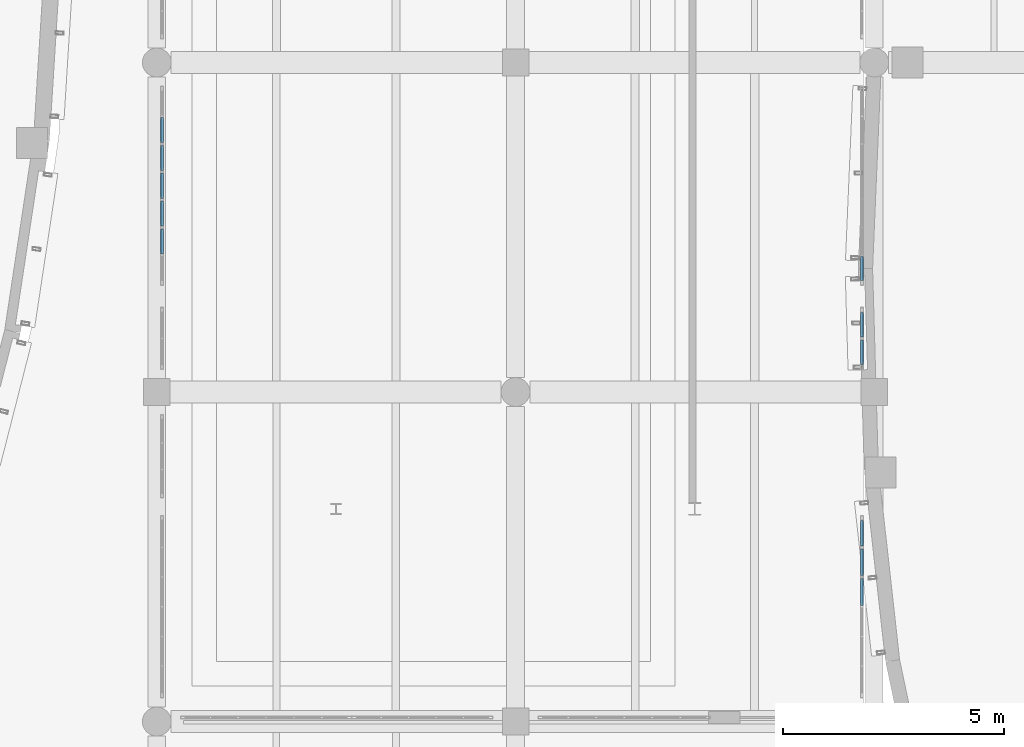
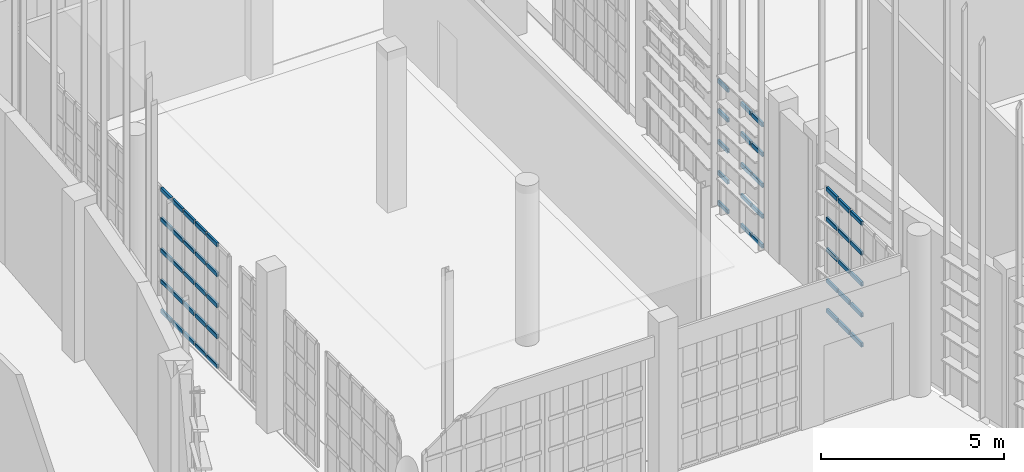
# One storey, part 307 of 372: 55 members, 4 elements without a shape of their own.
"""IFC4 building model written with IfcOpenShell, lengths in metres."""

from ifc_helpers import new_model, si_unit, direction, frame, origin, origin_2d, place, context, subcontext, project, spatial, hollow_rectangle, extrude, material, material_profile, profile_set, type_object, element, aggregate, save


model = new_model("IFC4")

# Units and contexts
model_context = context("Model", 3, precision=1e-05, world=origin(), true_north=direction((0.0, 1.0)))
body_context = subcontext(model_context, "Body", "Model", "MODEL_VIEW")
ifc_project = project(units=[si_unit("LENGTHUNIT", "METRE"), si_unit("AREAUNIT", "SQUARE_METRE"), si_unit("VOLUMEUNIT", "CUBIC_METRE"), si_unit("PLANEANGLEUNIT", "RADIAN"), si_unit("MASSUNIT", "GRAM", prefix="KILO")], contexts=[model_context])

# Site, building, storey
site_placement = place(None, origin())
site = spatial("IfcSite", under=ifc_project, at=site_placement, CompositionType="ELEMENT")
building_placement = place(site_placement, origin())
building = spatial("IfcBuilding", under=site, at=building_placement, Name="Kaelora Sail Theatre", CompositionType="ELEMENT")
storey_placement = place(building_placement, origin())
storey = spatial("IfcBuildingStorey", under=building, at=storey_placement, Name="L00", CompositionType="ELEMENT", Elevation=0.0)

# Curtain wall, members
ifc_material_1 = material(Name="Anodised aluminium and solar-control low-E IGU", Category="aluminium")
curtain_wall_type = type_object("IfcCurtainWallType", Name="ARC-CW-CW-FOY2", PredefinedType="NOTDEFINED", material=ifc_material_1)
curtain_wall_1_placement = place(storey_placement, origin())
curtain_wall_1 = element("IfcCurtainWall", 1, at=curtain_wall_1_placement, inside=storey, type_object=curtain_wall_type, Name="East Interstitial Foyer East Glazed Return L00-01", PredefinedType="NOTDEFINED")
ifc_material_2 = material(Name="Anodised aluminium 6063-T6", Category="aluminium")
ifc_material_profile = material_profile(ifc_material_2, hollow_rectangle(XDim=0.070068359375, YDim=0.139892578125, WallThickness=0.00390625, InnerFilletRadius=0.00390625, OuterFilletRadius=0.008056640625, at=origin_2d()), Name="ALU-TRAN 70x140x4")
ifc_profile_set = profile_set([ifc_material_profile], Name="Anodised aluminium 6063-T6")
member_type = type_object("IfcMemberType", Name="ARC-MEM-TR-140", PredefinedType="USERDEFINED", material=ifc_profile_set)
member_1_placement = place(storey_placement, frame((122.719970703125, 41.322509765625, 0.034912109375), z_axis=(0.0, 1.0, 0.0), x_axis=(-1.0, 0.0, 0.0)))
member_1 = element("IfcMember", 2, at=member_1_placement, type_object=member_type, Name="CW-FOY2 transom 4.1", ObjectType="TRANSOM", PredefinedType="USERDEFINED", context=body_context, shape_type="SweptSolid", body=[
    extrude(hollow_rectangle(XDim=0.070068359375, YDim=0.139892578125, WallThickness=0.00390625, InnerFilletRadius=0.00390625, OuterFilletRadius=0.008056640625, at=origin_2d()), origin(), (0.0, 0.0, 1.0), 0.609130859375),
])
member_2_placement = place(storey_placement, frame((122.719970703125, 41.322509765625, 1.0341796875), z_axis=(0.0, 1.0, 0.0), x_axis=(-1.0, 0.0, 0.0)))
member_2 = element("IfcMember", 3, at=member_2_placement, type_object=member_type, Name="CW-FOY2 transom 4.2", ObjectType="TRANSOM", PredefinedType="USERDEFINED", context=body_context, shape_type="SweptSolid", body=[
    extrude(hollow_rectangle(XDim=0.070068359375, YDim=0.139892578125, WallThickness=0.00390625, InnerFilletRadius=0.00390625, OuterFilletRadius=0.008056640625, at=origin_2d()), origin(), (0.0, 0.0, 1.0), 0.609130859375),
])
member_3_placement = place(storey_placement, frame((122.719970703125, 41.322509765625, 2.068603515625), z_axis=(0.0, 1.0, 0.0), x_axis=(-1.0, 0.0, 0.0)))
member_3 = element("IfcMember", 4, at=member_3_placement, type_object=member_type, Name="CW-FOY2 transom 4.3", ObjectType="TRANSOM", PredefinedType="USERDEFINED", context=body_context, shape_type="SweptSolid", body=[
    extrude(hollow_rectangle(XDim=0.070068359375, YDim=0.139892578125, WallThickness=0.00390625, InnerFilletRadius=0.00390625, OuterFilletRadius=0.008056640625, at=origin_2d()), origin(), (0.0, 0.0, 1.0), 0.609130859375),
])
member_4_placement = place(storey_placement, frame((122.719970703125, 41.322509765625, 3.102783203125), z_axis=(0.0, 1.0, 0.0), x_axis=(-1.0, 0.0, 0.0)))
member_4 = element("IfcMember", 5, at=member_4_placement, type_object=member_type, Name="CW-FOY2 transom 4.4", ObjectType="TRANSOM", PredefinedType="USERDEFINED", context=body_context, shape_type="SweptSolid", body=[
    extrude(hollow_rectangle(XDim=0.070068359375, YDim=0.139892578125, WallThickness=0.00390625, InnerFilletRadius=0.00390625, OuterFilletRadius=0.008056640625, at=origin_2d()), origin(), (0.0, 0.0, 1.0), 0.609130859375),
])
member_5_placement = place(storey_placement, frame((122.719970703125, 41.322509765625, 4.10205078125), z_axis=(0.0, 1.0, 0.0), x_axis=(-1.0, 0.0, 0.0)))
member_5 = element("IfcMember", 6, at=member_5_placement, type_object=member_type, Name="CW-FOY2 transom 4.5", ObjectType="TRANSOM", PredefinedType="USERDEFINED", context=body_context, shape_type="SweptSolid", body=[
    extrude(hollow_rectangle(XDim=0.070068359375, YDim=0.139892578125, WallThickness=0.00390625, InnerFilletRadius=0.00390625, OuterFilletRadius=0.008056640625, at=origin_2d()), origin(), (0.0, 0.0, 1.0), 0.609130859375),
])
member_6_placement = place(storey_placement, frame((122.719970703125, 41.99169921875, 0.034912109375), z_axis=(0.0, 1.0, 0.0), x_axis=(-1.0, 0.0, 0.0)))
member_6 = element("IfcMember", 7, at=member_6_placement, type_object=member_type, Name="CW-FOY2 transom 5.1", ObjectType="TRANSOM", PredefinedType="USERDEFINED", context=body_context, shape_type="SweptSolid", body=[
    extrude(hollow_rectangle(XDim=0.070068359375, YDim=0.139892578125, WallThickness=0.00390625, InnerFilletRadius=0.00390625, OuterFilletRadius=0.008056640625, at=origin_2d()), origin(), (0.0, 0.0, 1.0), 0.609130859375),
])
member_7_placement = place(storey_placement, frame((122.719970703125, 41.99169921875, 1.0341796875), z_axis=(0.0, 1.0, 0.0), x_axis=(-1.0, 0.0, 0.0)))
member_7 = element("IfcMember", 8, at=member_7_placement, type_object=member_type, Name="CW-FOY2 transom 5.2", ObjectType="TRANSOM", PredefinedType="USERDEFINED", context=body_context, shape_type="SweptSolid", body=[
    extrude(hollow_rectangle(XDim=0.070068359375, YDim=0.139892578125, WallThickness=0.00390625, InnerFilletRadius=0.00390625, OuterFilletRadius=0.008056640625, at=origin_2d()), origin(), (0.0, 0.0, 1.0), 0.609130859375),
])
member_8_placement = place(storey_placement, frame((122.719970703125, 41.99169921875, 2.068603515625), z_axis=(0.0, 1.0, 0.0), x_axis=(-1.0, 0.0, 0.0)))
member_8 = element("IfcMember", 9, at=member_8_placement, type_object=member_type, Name="CW-FOY2 transom 5.3", ObjectType="TRANSOM", PredefinedType="USERDEFINED", context=body_context, shape_type="SweptSolid", body=[
    extrude(hollow_rectangle(XDim=0.070068359375, YDim=0.139892578125, WallThickness=0.00390625, InnerFilletRadius=0.00390625, OuterFilletRadius=0.008056640625, at=origin_2d()), origin(), (0.0, 0.0, 1.0), 0.609130859375),
])
member_9_placement = place(storey_placement, frame((122.719970703125, 41.99169921875, 3.102783203125), z_axis=(0.0, 1.0, 0.0), x_axis=(-1.0, 0.0, 0.0)))
member_9 = element("IfcMember", 10, at=member_9_placement, type_object=member_type, Name="CW-FOY2 transom 5.4", ObjectType="TRANSOM", PredefinedType="USERDEFINED", context=body_context, shape_type="SweptSolid", body=[
    extrude(hollow_rectangle(XDim=0.070068359375, YDim=0.139892578125, WallThickness=0.00390625, InnerFilletRadius=0.00390625, OuterFilletRadius=0.008056640625, at=origin_2d()), origin(), (0.0, 0.0, 1.0), 0.609130859375),
])
member_10_placement = place(storey_placement, frame((122.719970703125, 41.99169921875, 4.10205078125), z_axis=(0.0, 1.0, 0.0), x_axis=(-1.0, 0.0, 0.0)))
member_10 = element("IfcMember", 11, at=member_10_placement, type_object=member_type, Name="CW-FOY2 transom 5.5", ObjectType="TRANSOM", PredefinedType="USERDEFINED", context=body_context, shape_type="SweptSolid", body=[
    extrude(hollow_rectangle(XDim=0.070068359375, YDim=0.139892578125, WallThickness=0.00390625, InnerFilletRadius=0.00390625, OuterFilletRadius=0.008056640625, at=origin_2d()), origin(), (0.0, 0.0, 1.0), 0.609130859375),
])
member_11_placement = place(storey_placement, frame((122.719970703125, 42.660888671875, 0.034912109375), z_axis=(0.0, 1.0, 0.0), x_axis=(-1.0, 0.0, 0.0)))
member_11 = element("IfcMember", 12, at=member_11_placement, type_object=member_type, Name="CW-FOY2 transom 6.1", ObjectType="TRANSOM", PredefinedType="USERDEFINED", context=body_context, shape_type="SweptSolid", body=[
    extrude(hollow_rectangle(XDim=0.070068359375, YDim=0.139892578125, WallThickness=0.00390625, InnerFilletRadius=0.00390625, OuterFilletRadius=0.008056640625, at=origin_2d()), origin(), (0.0, 0.0, 1.0), 0.5791015625),
])
member_12_placement = place(storey_placement, frame((122.719970703125, 42.660888671875, 1.0341796875), z_axis=(0.0, 1.0, 0.0), x_axis=(-1.0, 0.0, 0.0)))
member_12 = element("IfcMember", 13, at=member_12_placement, type_object=member_type, Name="CW-FOY2 transom 6.2", ObjectType="TRANSOM", PredefinedType="USERDEFINED", context=body_context, shape_type="SweptSolid", body=[
    extrude(hollow_rectangle(XDim=0.070068359375, YDim=0.139892578125, WallThickness=0.00390625, InnerFilletRadius=0.00390625, OuterFilletRadius=0.008056640625, at=origin_2d()), origin(), (0.0, 0.0, 1.0), 0.5791015625),
])
member_13_placement = place(storey_placement, frame((122.719970703125, 42.660888671875, 2.068603515625), z_axis=(0.0, 1.0, 0.0), x_axis=(-1.0, 0.0, 0.0)))
member_13 = element("IfcMember", 14, at=member_13_placement, type_object=member_type, Name="CW-FOY2 transom 6.3", ObjectType="TRANSOM", PredefinedType="USERDEFINED", context=body_context, shape_type="SweptSolid", body=[
    extrude(hollow_rectangle(XDim=0.070068359375, YDim=0.139892578125, WallThickness=0.00390625, InnerFilletRadius=0.00390625, OuterFilletRadius=0.008056640625, at=origin_2d()), origin(), (0.0, 0.0, 1.0), 0.5791015625),
])
member_14_placement = place(storey_placement, frame((122.719970703125, 42.660888671875, 3.102783203125), z_axis=(0.0, 1.0, 0.0), x_axis=(-1.0, 0.0, 0.0)))
member_14 = element("IfcMember", 15, at=member_14_placement, type_object=member_type, Name="CW-FOY2 transom 6.4", ObjectType="TRANSOM", PredefinedType="USERDEFINED", context=body_context, shape_type="SweptSolid", body=[
    extrude(hollow_rectangle(XDim=0.070068359375, YDim=0.139892578125, WallThickness=0.00390625, InnerFilletRadius=0.00390625, OuterFilletRadius=0.008056640625, at=origin_2d()), origin(), (0.0, 0.0, 1.0), 0.5791015625),
])
member_15_placement = place(storey_placement, frame((122.719970703125, 42.660888671875, 4.10205078125), z_axis=(0.0, 1.0, 0.0), x_axis=(-1.0, 0.0, 0.0)))
member_15 = element("IfcMember", 16, at=member_15_placement, type_object=member_type, Name="CW-FOY2 transom 6.5", ObjectType="TRANSOM", PredefinedType="USERDEFINED", context=body_context, shape_type="SweptSolid", body=[
    extrude(hollow_rectangle(XDim=0.070068359375, YDim=0.139892578125, WallThickness=0.00390625, InnerFilletRadius=0.00390625, OuterFilletRadius=0.008056640625, at=origin_2d()), origin(), (0.0, 0.0, 1.0), 0.5791015625),
])
aggregate(curtain_wall_1, [member_1, member_2, member_3, member_4, member_5, member_6, member_7, member_8, member_9, member_10, member_11, member_12, member_13, member_14, member_15])

curtain_wall_2_placement = place(storey_placement, origin())
curtain_wall_2 = element("IfcCurtainWall", 17, at=curtain_wall_2_placement, inside=storey, type_object=curtain_wall_type, Name="East Interstitial Foyer East Glazed Return L00-02", PredefinedType="NOTDEFINED")
member_16_placement = place(storey_placement, frame((122.719970703125, 46.760009765625, 0.034912109375), z_axis=(0.0, 1.0, 0.0), x_axis=(-1.0, 0.0, 0.0)))
member_16 = element("IfcMember", 18, at=member_16_placement, type_object=member_type, Name="CW-FOY2 transom 1.1", ObjectType="TRANSOM", PredefinedType="USERDEFINED", context=body_context, shape_type="SweptSolid", body=[
    extrude(hollow_rectangle(XDim=0.070068359375, YDim=0.139892578125, WallThickness=0.00390625, InnerFilletRadius=0.00390625, OuterFilletRadius=0.008056640625, at=origin_2d()), origin(), (0.0, 0.0, 1.0), 0.56005859375),
])
member_17_placement = place(storey_placement, frame((122.719970703125, 46.760009765625, 1.0341796875), z_axis=(0.0, 1.0, 0.0), x_axis=(-1.0, 0.0, 0.0)))
member_17 = element("IfcMember", 19, at=member_17_placement, type_object=member_type, Name="CW-FOY2 transom 1.2", ObjectType="TRANSOM", PredefinedType="USERDEFINED", context=body_context, shape_type="SweptSolid", body=[
    extrude(hollow_rectangle(XDim=0.070068359375, YDim=0.139892578125, WallThickness=0.00390625, InnerFilletRadius=0.00390625, OuterFilletRadius=0.008056640625, at=origin_2d()), origin(), (0.0, 0.0, 1.0), 0.56005859375),
])
member_18_placement = place(storey_placement, frame((122.719970703125, 46.760009765625, 2.068603515625), z_axis=(0.0, 1.0, 0.0), x_axis=(-1.0, 0.0, 0.0)))
member_18 = element("IfcMember", 20, at=member_18_placement, type_object=member_type, Name="CW-FOY2 transom 1.3", ObjectType="TRANSOM", PredefinedType="USERDEFINED", context=body_context, shape_type="SweptSolid", body=[
    extrude(hollow_rectangle(XDim=0.070068359375, YDim=0.139892578125, WallThickness=0.00390625, InnerFilletRadius=0.00390625, OuterFilletRadius=0.008056640625, at=origin_2d()), origin(), (0.0, 0.0, 1.0), 0.56005859375),
])
member_19_placement = place(storey_placement, frame((122.719970703125, 46.760009765625, 3.102783203125), z_axis=(0.0, 1.0, 0.0), x_axis=(-1.0, 0.0, 0.0)))
member_19 = element("IfcMember", 21, at=member_19_placement, type_object=member_type, Name="CW-FOY2 transom 1.4", ObjectType="TRANSOM", PredefinedType="USERDEFINED", context=body_context, shape_type="SweptSolid", body=[
    extrude(hollow_rectangle(XDim=0.070068359375, YDim=0.139892578125, WallThickness=0.00390625, InnerFilletRadius=0.00390625, OuterFilletRadius=0.008056640625, at=origin_2d()), origin(), (0.0, 0.0, 1.0), 0.56005859375),
])
member_20_placement = place(storey_placement, frame((122.719970703125, 46.760009765625, 4.10205078125), z_axis=(0.0, 1.0, 0.0), x_axis=(-1.0, 0.0, 0.0)))
member_20 = element("IfcMember", 22, at=member_20_placement, type_object=member_type, Name="CW-FOY2 transom 1.5", ObjectType="TRANSOM", PredefinedType="USERDEFINED", context=body_context, shape_type="SweptSolid", body=[
    extrude(hollow_rectangle(XDim=0.070068359375, YDim=0.139892578125, WallThickness=0.00390625, InnerFilletRadius=0.00390625, OuterFilletRadius=0.008056640625, at=origin_2d()), origin(), (0.0, 0.0, 1.0), 0.56005859375),
])
member_21_placement = place(storey_placement, frame((122.719970703125, 47.3798828125, 0.034912109375), z_axis=(0.0, 1.0, 0.0), x_axis=(-1.0, 0.0, 0.0)))
member_21 = element("IfcMember", 23, at=member_21_placement, type_object=member_type, Name="CW-FOY2 transom 2.1", ObjectType="TRANSOM", PredefinedType="USERDEFINED", context=body_context, shape_type="SweptSolid", body=[
    extrude(hollow_rectangle(XDim=0.070068359375, YDim=0.139892578125, WallThickness=0.00390625, InnerFilletRadius=0.00390625, OuterFilletRadius=0.008056640625, at=origin_2d()), origin(), (0.0, 0.0, 1.0), 0.56005859375),
])
member_22_placement = place(storey_placement, frame((122.719970703125, 47.3798828125, 1.0341796875), z_axis=(0.0, 1.0, 0.0), x_axis=(-1.0, 0.0, 0.0)))
member_22 = element("IfcMember", 24, at=member_22_placement, type_object=member_type, Name="CW-FOY2 transom 2.2", ObjectType="TRANSOM", PredefinedType="USERDEFINED", context=body_context, shape_type="SweptSolid", body=[
    extrude(hollow_rectangle(XDim=0.070068359375, YDim=0.139892578125, WallThickness=0.00390625, InnerFilletRadius=0.00390625, OuterFilletRadius=0.008056640625, at=origin_2d()), origin(), (0.0, 0.0, 1.0), 0.56005859375),
])
member_23_placement = place(storey_placement, frame((122.719970703125, 47.3798828125, 2.068603515625), z_axis=(0.0, 1.0, 0.0), x_axis=(-1.0, 0.0, 0.0)))
member_23 = element("IfcMember", 25, at=member_23_placement, type_object=member_type, Name="CW-FOY2 transom 2.3", ObjectType="TRANSOM", PredefinedType="USERDEFINED", context=body_context, shape_type="SweptSolid", body=[
    extrude(hollow_rectangle(XDim=0.070068359375, YDim=0.139892578125, WallThickness=0.00390625, InnerFilletRadius=0.00390625, OuterFilletRadius=0.008056640625, at=origin_2d()), origin(), (0.0, 0.0, 1.0), 0.56005859375),
])
member_24_placement = place(storey_placement, frame((122.719970703125, 47.3798828125, 3.102783203125), z_axis=(0.0, 1.0, 0.0), x_axis=(-1.0, 0.0, 0.0)))
member_24 = element("IfcMember", 26, at=member_24_placement, type_object=member_type, Name="CW-FOY2 transom 2.4", ObjectType="TRANSOM", PredefinedType="USERDEFINED", context=body_context, shape_type="SweptSolid", body=[
    extrude(hollow_rectangle(XDim=0.070068359375, YDim=0.139892578125, WallThickness=0.00390625, InnerFilletRadius=0.00390625, OuterFilletRadius=0.008056640625, at=origin_2d()), origin(), (0.0, 0.0, 1.0), 0.56005859375),
])
member_25_placement = place(storey_placement, frame((122.719970703125, 47.3798828125, 4.10205078125), z_axis=(0.0, 1.0, 0.0), x_axis=(-1.0, 0.0, 0.0)))
member_25 = element("IfcMember", 27, at=member_25_placement, type_object=member_type, Name="CW-FOY2 transom 2.5", ObjectType="TRANSOM", PredefinedType="USERDEFINED", context=body_context, shape_type="SweptSolid", body=[
    extrude(hollow_rectangle(XDim=0.070068359375, YDim=0.139892578125, WallThickness=0.00390625, InnerFilletRadius=0.00390625, OuterFilletRadius=0.008056640625, at=origin_2d()), origin(), (0.0, 0.0, 1.0), 0.56005859375),
])
aggregate(curtain_wall_2, [member_16, member_17, member_18, member_19, member_20, member_21, member_22, member_23, member_24, member_25])

curtain_wall_3_placement = place(storey_placement, origin())
curtain_wall_3 = element("IfcCurtainWall", 28, at=curtain_wall_3_placement, inside=storey, type_object=curtain_wall_type, Name="East Interstitial Foyer West Glazed Return L00-03", PredefinedType="NOTDEFINED")
member_26_placement = place(storey_placement, frame((106.919921875, 49.2578125, 0.034912109375), z_axis=(0.0, 1.0, 0.0), x_axis=(-1.0, 0.0, 0.0)))
member_26 = element("IfcMember", 29, at=member_26_placement, type_object=member_type, Name="CW-FOY2 transom 2.1", ObjectType="TRANSOM", PredefinedType="USERDEFINED", context=body_context, shape_type="SweptSolid", body=[
    extrude(hollow_rectangle(XDim=0.070068359375, YDim=0.139892578125, WallThickness=0.00390625, InnerFilletRadius=0.00390625, OuterFilletRadius=0.008056640625, at=origin_2d()), origin(), (0.0, 0.0, 1.0), 0.56787109375),
])
member_27_placement = place(storey_placement, frame((106.919921875, 49.2578125, 1.0341796875), z_axis=(0.0, 1.0, 0.0), x_axis=(-1.0, 0.0, 0.0)))
member_27 = element("IfcMember", 30, at=member_27_placement, type_object=member_type, Name="CW-FOY2 transom 2.2", ObjectType="TRANSOM", PredefinedType="USERDEFINED", context=body_context, shape_type="SweptSolid", body=[
    extrude(hollow_rectangle(XDim=0.070068359375, YDim=0.139892578125, WallThickness=0.00390625, InnerFilletRadius=0.00390625, OuterFilletRadius=0.008056640625, at=origin_2d()), origin(), (0.0, 0.0, 1.0), 0.56787109375),
])
member_28_placement = place(storey_placement, frame((106.919921875, 49.2578125, 2.068603515625), z_axis=(0.0, 1.0, 0.0), x_axis=(-1.0, 0.0, 0.0)))
member_28 = element("IfcMember", 31, at=member_28_placement, type_object=member_type, Name="CW-FOY2 transom 2.3", ObjectType="TRANSOM", PredefinedType="USERDEFINED", context=body_context, shape_type="SweptSolid", body=[
    extrude(hollow_rectangle(XDim=0.070068359375, YDim=0.139892578125, WallThickness=0.00390625, InnerFilletRadius=0.00390625, OuterFilletRadius=0.008056640625, at=origin_2d()), origin(), (0.0, 0.0, 1.0), 0.56787109375),
])
member_29_placement = place(storey_placement, frame((106.919921875, 49.2578125, 3.102783203125), z_axis=(0.0, 1.0, 0.0), x_axis=(-1.0, 0.0, 0.0)))
member_29 = element("IfcMember", 32, at=member_29_placement, type_object=member_type, Name="CW-FOY2 transom 2.4", ObjectType="TRANSOM", PredefinedType="USERDEFINED", context=body_context, shape_type="SweptSolid", body=[
    extrude(hollow_rectangle(XDim=0.070068359375, YDim=0.139892578125, WallThickness=0.00390625, InnerFilletRadius=0.00390625, OuterFilletRadius=0.008056640625, at=origin_2d()), origin(), (0.0, 0.0, 1.0), 0.56787109375),
])
member_30_placement = place(storey_placement, frame((106.919921875, 49.2578125, 4.10205078125), z_axis=(0.0, 1.0, 0.0), x_axis=(-1.0, 0.0, 0.0)))
member_30 = element("IfcMember", 33, at=member_30_placement, type_object=member_type, Name="CW-FOY2 transom 2.5", ObjectType="TRANSOM", PredefinedType="USERDEFINED", context=body_context, shape_type="SweptSolid", body=[
    extrude(hollow_rectangle(XDim=0.070068359375, YDim=0.139892578125, WallThickness=0.00390625, InnerFilletRadius=0.00390625, OuterFilletRadius=0.008056640625, at=origin_2d()), origin(), (0.0, 0.0, 1.0), 0.56787109375),
])
member_31_placement = place(storey_placement, frame((106.919921875, 49.8857421875, 0.034912109375), z_axis=(0.0, 1.0, 0.0), x_axis=(-1.0, 0.0, 0.0)))
member_31 = element("IfcMember", 34, at=member_31_placement, type_object=member_type, Name="CW-FOY2 transom 3.1", ObjectType="TRANSOM", PredefinedType="USERDEFINED", context=body_context, shape_type="SweptSolid", body=[
    extrude(hollow_rectangle(XDim=0.070068359375, YDim=0.139892578125, WallThickness=0.00390625, InnerFilletRadius=0.00390625, OuterFilletRadius=0.008056640625, at=origin_2d()), origin(), (0.0, 0.0, 1.0), 0.56787109375),
])
member_32_placement = place(storey_placement, frame((106.919921875, 49.8857421875, 1.0341796875), z_axis=(0.0, 1.0, 0.0), x_axis=(-1.0, 0.0, 0.0)))
member_32 = element("IfcMember", 35, at=member_32_placement, type_object=member_type, Name="CW-FOY2 transom 3.2", ObjectType="TRANSOM", PredefinedType="USERDEFINED", context=body_context, shape_type="SweptSolid", body=[
    extrude(hollow_rectangle(XDim=0.070068359375, YDim=0.139892578125, WallThickness=0.00390625, InnerFilletRadius=0.00390625, OuterFilletRadius=0.008056640625, at=origin_2d()), origin(), (0.0, 0.0, 1.0), 0.56787109375),
])
member_33_placement = place(storey_placement, frame((106.919921875, 49.8857421875, 2.068603515625), z_axis=(0.0, 1.0, 0.0), x_axis=(-1.0, 0.0, 0.0)))
member_33 = element("IfcMember", 36, at=member_33_placement, type_object=member_type, Name="CW-FOY2 transom 3.3", ObjectType="TRANSOM", PredefinedType="USERDEFINED", context=body_context, shape_type="SweptSolid", body=[
    extrude(hollow_rectangle(XDim=0.070068359375, YDim=0.139892578125, WallThickness=0.00390625, InnerFilletRadius=0.00390625, OuterFilletRadius=0.008056640625, at=origin_2d()), origin(), (0.0, 0.0, 1.0), 0.56787109375),
])
member_34_placement = place(storey_placement, frame((106.919921875, 49.8857421875, 3.102783203125), z_axis=(0.0, 1.0, 0.0), x_axis=(-1.0, 0.0, 0.0)))
member_34 = element("IfcMember", 37, at=member_34_placement, type_object=member_type, Name="CW-FOY2 transom 3.4", ObjectType="TRANSOM", PredefinedType="USERDEFINED", context=body_context, shape_type="SweptSolid", body=[
    extrude(hollow_rectangle(XDim=0.070068359375, YDim=0.139892578125, WallThickness=0.00390625, InnerFilletRadius=0.00390625, OuterFilletRadius=0.008056640625, at=origin_2d()), origin(), (0.0, 0.0, 1.0), 0.56787109375),
])
member_35_placement = place(storey_placement, frame((106.919921875, 49.8857421875, 4.10205078125), z_axis=(0.0, 1.0, 0.0), x_axis=(-1.0, 0.0, 0.0)))
member_35 = element("IfcMember", 38, at=member_35_placement, type_object=member_type, Name="CW-FOY2 transom 3.5", ObjectType="TRANSOM", PredefinedType="USERDEFINED", context=body_context, shape_type="SweptSolid", body=[
    extrude(hollow_rectangle(XDim=0.070068359375, YDim=0.139892578125, WallThickness=0.00390625, InnerFilletRadius=0.00390625, OuterFilletRadius=0.008056640625, at=origin_2d()), origin(), (0.0, 0.0, 1.0), 0.56787109375),
])
member_36_placement = place(storey_placement, frame((106.919921875, 50.513671875, 0.034912109375), z_axis=(0.0, 1.0, 0.0), x_axis=(-1.0, 0.0, 0.0)))
member_36 = element("IfcMember", 39, at=member_36_placement, type_object=member_type, Name="CW-FOY2 transom 4.1", ObjectType="TRANSOM", PredefinedType="USERDEFINED", context=body_context, shape_type="SweptSolid", body=[
    extrude(hollow_rectangle(XDim=0.070068359375, YDim=0.139892578125, WallThickness=0.00390625, InnerFilletRadius=0.00390625, OuterFilletRadius=0.008056640625, at=origin_2d()), origin(), (0.0, 0.0, 1.0), 0.56787109375),
])
member_37_placement = place(storey_placement, frame((106.919921875, 50.513671875, 1.0341796875), z_axis=(0.0, 1.0, 0.0), x_axis=(-1.0, 0.0, 0.0)))
member_37 = element("IfcMember", 40, at=member_37_placement, type_object=member_type, Name="CW-FOY2 transom 4.2", ObjectType="TRANSOM", PredefinedType="USERDEFINED", context=body_context, shape_type="SweptSolid", body=[
    extrude(hollow_rectangle(XDim=0.070068359375, YDim=0.139892578125, WallThickness=0.00390625, InnerFilletRadius=0.00390625, OuterFilletRadius=0.008056640625, at=origin_2d()), origin(), (0.0, 0.0, 1.0), 0.56787109375),
])
member_38_placement = place(storey_placement, frame((106.919921875, 50.513671875, 2.068603515625), z_axis=(0.0, 1.0, 0.0), x_axis=(-1.0, 0.0, 0.0)))
member_38 = element("IfcMember", 41, at=member_38_placement, type_object=member_type, Name="CW-FOY2 transom 4.3", ObjectType="TRANSOM", PredefinedType="USERDEFINED", context=body_context, shape_type="SweptSolid", body=[
    extrude(hollow_rectangle(XDim=0.070068359375, YDim=0.139892578125, WallThickness=0.00390625, InnerFilletRadius=0.00390625, OuterFilletRadius=0.008056640625, at=origin_2d()), origin(), (0.0, 0.0, 1.0), 0.56787109375),
])
member_39_placement = place(storey_placement, frame((106.919921875, 50.513671875, 3.102783203125), z_axis=(0.0, 1.0, 0.0), x_axis=(-1.0, 0.0, 0.0)))
member_39 = element("IfcMember", 42, at=member_39_placement, type_object=member_type, Name="CW-FOY2 transom 4.4", ObjectType="TRANSOM", PredefinedType="USERDEFINED", context=body_context, shape_type="SweptSolid", body=[
    extrude(hollow_rectangle(XDim=0.070068359375, YDim=0.139892578125, WallThickness=0.00390625, InnerFilletRadius=0.00390625, OuterFilletRadius=0.008056640625, at=origin_2d()), origin(), (0.0, 0.0, 1.0), 0.56787109375),
])
member_40_placement = place(storey_placement, frame((106.919921875, 50.513671875, 4.10205078125), z_axis=(0.0, 1.0, 0.0), x_axis=(-1.0, 0.0, 0.0)))
member_40 = element("IfcMember", 43, at=member_40_placement, type_object=member_type, Name="CW-FOY2 transom 4.5", ObjectType="TRANSOM", PredefinedType="USERDEFINED", context=body_context, shape_type="SweptSolid", body=[
    extrude(hollow_rectangle(XDim=0.070068359375, YDim=0.139892578125, WallThickness=0.00390625, InnerFilletRadius=0.00390625, OuterFilletRadius=0.008056640625, at=origin_2d()), origin(), (0.0, 0.0, 1.0), 0.56787109375),
])
member_41_placement = place(storey_placement, frame((106.919921875, 51.141357421875, 0.034912109375), z_axis=(0.0, 1.0, 0.0), x_axis=(-1.0, 0.0, 0.0)))
member_41 = element("IfcMember", 44, at=member_41_placement, type_object=member_type, Name="CW-FOY2 transom 5.1", ObjectType="TRANSOM", PredefinedType="USERDEFINED", context=body_context, shape_type="SweptSolid", body=[
    extrude(hollow_rectangle(XDim=0.070068359375, YDim=0.139892578125, WallThickness=0.00390625, InnerFilletRadius=0.00390625, OuterFilletRadius=0.008056640625, at=origin_2d()), origin(), (0.0, 0.0, 1.0), 0.56787109375),
])
member_42_placement = place(storey_placement, frame((106.919921875, 51.141357421875, 1.0341796875), z_axis=(0.0, 1.0, 0.0), x_axis=(-1.0, 0.0, 0.0)))
member_42 = element("IfcMember", 45, at=member_42_placement, type_object=member_type, Name="CW-FOY2 transom 5.2", ObjectType="TRANSOM", PredefinedType="USERDEFINED", context=body_context, shape_type="SweptSolid", body=[
    extrude(hollow_rectangle(XDim=0.070068359375, YDim=0.139892578125, WallThickness=0.00390625, InnerFilletRadius=0.00390625, OuterFilletRadius=0.008056640625, at=origin_2d()), origin(), (0.0, 0.0, 1.0), 0.56787109375),
])
member_43_placement = place(storey_placement, frame((106.919921875, 51.141357421875, 2.068603515625), z_axis=(0.0, 1.0, 0.0), x_axis=(-1.0, 0.0, 0.0)))
member_43 = element("IfcMember", 46, at=member_43_placement, type_object=member_type, Name="CW-FOY2 transom 5.3", ObjectType="TRANSOM", PredefinedType="USERDEFINED", context=body_context, shape_type="SweptSolid", body=[
    extrude(hollow_rectangle(XDim=0.070068359375, YDim=0.139892578125, WallThickness=0.00390625, InnerFilletRadius=0.00390625, OuterFilletRadius=0.008056640625, at=origin_2d()), origin(), (0.0, 0.0, 1.0), 0.56787109375),
])
member_44_placement = place(storey_placement, frame((106.919921875, 51.141357421875, 3.102783203125), z_axis=(0.0, 1.0, 0.0), x_axis=(-1.0, 0.0, 0.0)))
member_44 = element("IfcMember", 47, at=member_44_placement, type_object=member_type, Name="CW-FOY2 transom 5.4", ObjectType="TRANSOM", PredefinedType="USERDEFINED", context=body_context, shape_type="SweptSolid", body=[
    extrude(hollow_rectangle(XDim=0.070068359375, YDim=0.139892578125, WallThickness=0.00390625, InnerFilletRadius=0.00390625, OuterFilletRadius=0.008056640625, at=origin_2d()), origin(), (0.0, 0.0, 1.0), 0.56787109375),
])
member_45_placement = place(storey_placement, frame((106.919921875, 51.141357421875, 4.10205078125), z_axis=(0.0, 1.0, 0.0), x_axis=(-1.0, 0.0, 0.0)))
member_45 = element("IfcMember", 48, at=member_45_placement, type_object=member_type, Name="CW-FOY2 transom 5.5", ObjectType="TRANSOM", PredefinedType="USERDEFINED", context=body_context, shape_type="SweptSolid", body=[
    extrude(hollow_rectangle(XDim=0.070068359375, YDim=0.139892578125, WallThickness=0.00390625, InnerFilletRadius=0.00390625, OuterFilletRadius=0.008056640625, at=origin_2d()), origin(), (0.0, 0.0, 1.0), 0.56787109375),
])
member_46_placement = place(storey_placement, frame((106.919921875, 51.769287109375, 0.034912109375), z_axis=(0.0, 1.0, 0.0), x_axis=(-1.0, 0.0, 0.0)))
member_46 = element("IfcMember", 49, at=member_46_placement, type_object=member_type, Name="CW-FOY2 transom 6.1", ObjectType="TRANSOM", PredefinedType="USERDEFINED", context=body_context, shape_type="SweptSolid", body=[
    extrude(hollow_rectangle(XDim=0.070068359375, YDim=0.139892578125, WallThickness=0.00390625, InnerFilletRadius=0.00390625, OuterFilletRadius=0.008056640625, at=origin_2d()), origin(), (0.0, 0.0, 1.0), 0.56787109375),
])
member_47_placement = place(storey_placement, frame((106.919921875, 51.769287109375, 1.0341796875), z_axis=(0.0, 1.0, 0.0), x_axis=(-1.0, 0.0, 0.0)))
member_47 = element("IfcMember", 50, at=member_47_placement, type_object=member_type, Name="CW-FOY2 transom 6.2", ObjectType="TRANSOM", PredefinedType="USERDEFINED", context=body_context, shape_type="SweptSolid", body=[
    extrude(hollow_rectangle(XDim=0.070068359375, YDim=0.139892578125, WallThickness=0.00390625, InnerFilletRadius=0.00390625, OuterFilletRadius=0.008056640625, at=origin_2d()), origin(), (0.0, 0.0, 1.0), 0.56787109375),
])
member_48_placement = place(storey_placement, frame((106.919921875, 51.769287109375, 2.068603515625), z_axis=(0.0, 1.0, 0.0), x_axis=(-1.0, 0.0, 0.0)))
member_48 = element("IfcMember", 51, at=member_48_placement, type_object=member_type, Name="CW-FOY2 transom 6.3", ObjectType="TRANSOM", PredefinedType="USERDEFINED", context=body_context, shape_type="SweptSolid", body=[
    extrude(hollow_rectangle(XDim=0.070068359375, YDim=0.139892578125, WallThickness=0.00390625, InnerFilletRadius=0.00390625, OuterFilletRadius=0.008056640625, at=origin_2d()), origin(), (0.0, 0.0, 1.0), 0.56787109375),
])
member_49_placement = place(storey_placement, frame((106.919921875, 51.769287109375, 3.102783203125), z_axis=(0.0, 1.0, 0.0), x_axis=(-1.0, 0.0, 0.0)))
member_49 = element("IfcMember", 52, at=member_49_placement, type_object=member_type, Name="CW-FOY2 transom 6.4", ObjectType="TRANSOM", PredefinedType="USERDEFINED", context=body_context, shape_type="SweptSolid", body=[
    extrude(hollow_rectangle(XDim=0.070068359375, YDim=0.139892578125, WallThickness=0.00390625, InnerFilletRadius=0.00390625, OuterFilletRadius=0.008056640625, at=origin_2d()), origin(), (0.0, 0.0, 1.0), 0.56787109375),
])
member_50_placement = place(storey_placement, frame((106.919921875, 51.769287109375, 4.10205078125), z_axis=(0.0, 1.0, 0.0), x_axis=(-1.0, 0.0, 0.0)))
member_50 = element("IfcMember", 53, at=member_50_placement, type_object=member_type, Name="CW-FOY2 transom 6.5", ObjectType="TRANSOM", PredefinedType="USERDEFINED", context=body_context, shape_type="SweptSolid", body=[
    extrude(hollow_rectangle(XDim=0.070068359375, YDim=0.139892578125, WallThickness=0.00390625, InnerFilletRadius=0.00390625, OuterFilletRadius=0.008056640625, at=origin_2d()), origin(), (0.0, 0.0, 1.0), 0.56787109375),
])
aggregate(curtain_wall_3, [member_26, member_27, member_28, member_29, member_30, member_31, member_32, member_33, member_34, member_35, member_36, member_37, member_38, member_39, member_40, member_41, member_42, member_43, member_44, member_45, member_46, member_47, member_48, member_49, member_50])

curtain_wall_4_placement = place(storey_placement, origin())
curtain_wall_4 = element("IfcCurtainWall", 54, at=curtain_wall_4_placement, inside=storey, type_object=curtain_wall_type, Name="East Interstitial Foyer East Glazed Return L00-03", PredefinedType="NOTDEFINED")
member_51_placement = place(storey_placement, frame((122.719970703125, 48.659912109375, 0.034912109375), z_axis=(0.0, 1.0, 0.0), x_axis=(-1.0, 0.0, 0.0)))
member_51 = element("IfcMember", 55, at=member_51_placement, type_object=member_type, Name="CW-FOY2 transom 1.1", ObjectType="TRANSOM", PredefinedType="USERDEFINED", context=body_context, shape_type="SweptSolid", body=[
    extrude(hollow_rectangle(XDim=0.070068359375, YDim=0.139892578125, WallThickness=0.00390625, InnerFilletRadius=0.00390625, OuterFilletRadius=0.008056640625, at=origin_2d()), origin(), (0.0, 0.0, 1.0), 0.537841796875),
])
member_52_placement = place(storey_placement, frame((122.719970703125, 48.659912109375, 1.0341796875), z_axis=(0.0, 1.0, 0.0), x_axis=(-1.0, 0.0, 0.0)))
member_52 = element("IfcMember", 56, at=member_52_placement, type_object=member_type, Name="CW-FOY2 transom 1.2", ObjectType="TRANSOM", PredefinedType="USERDEFINED", context=body_context, shape_type="SweptSolid", body=[
    extrude(hollow_rectangle(XDim=0.070068359375, YDim=0.139892578125, WallThickness=0.00390625, InnerFilletRadius=0.00390625, OuterFilletRadius=0.008056640625, at=origin_2d()), origin(), (0.0, 0.0, 1.0), 0.537841796875),
])
member_53_placement = place(storey_placement, frame((122.719970703125, 48.659912109375, 2.068603515625), z_axis=(0.0, 1.0, 0.0), x_axis=(-1.0, 0.0, 0.0)))
member_53 = element("IfcMember", 57, at=member_53_placement, type_object=member_type, Name="CW-FOY2 transom 1.3", ObjectType="TRANSOM", PredefinedType="USERDEFINED", context=body_context, shape_type="SweptSolid", body=[
    extrude(hollow_rectangle(XDim=0.070068359375, YDim=0.139892578125, WallThickness=0.00390625, InnerFilletRadius=0.00390625, OuterFilletRadius=0.008056640625, at=origin_2d()), origin(), (0.0, 0.0, 1.0), 0.537841796875),
])
member_54_placement = place(storey_placement, frame((122.719970703125, 48.659912109375, 3.102783203125), z_axis=(0.0, 1.0, 0.0), x_axis=(-1.0, 0.0, 0.0)))
member_54 = element("IfcMember", 58, at=member_54_placement, type_object=member_type, Name="CW-FOY2 transom 1.4", ObjectType="TRANSOM", PredefinedType="USERDEFINED", context=body_context, shape_type="SweptSolid", body=[
    extrude(hollow_rectangle(XDim=0.070068359375, YDim=0.139892578125, WallThickness=0.00390625, InnerFilletRadius=0.00390625, OuterFilletRadius=0.008056640625, at=origin_2d()), origin(), (0.0, 0.0, 1.0), 0.537841796875),
])
member_55_placement = place(storey_placement, frame((122.719970703125, 48.659912109375, 4.10205078125), z_axis=(0.0, 1.0, 0.0), x_axis=(-1.0, 0.0, 0.0)))
member_55 = element("IfcMember", 59, at=member_55_placement, type_object=member_type, Name="CW-FOY2 transom 1.5", ObjectType="TRANSOM", PredefinedType="USERDEFINED", context=body_context, shape_type="SweptSolid", body=[
    extrude(hollow_rectangle(XDim=0.070068359375, YDim=0.139892578125, WallThickness=0.00390625, InnerFilletRadius=0.00390625, OuterFilletRadius=0.008056640625, at=origin_2d()), origin(), (0.0, 0.0, 1.0), 0.537841796875),
])
aggregate(curtain_wall_4, [member_51, member_52, member_53, member_54, member_55])

save(model, "model.ifc")
